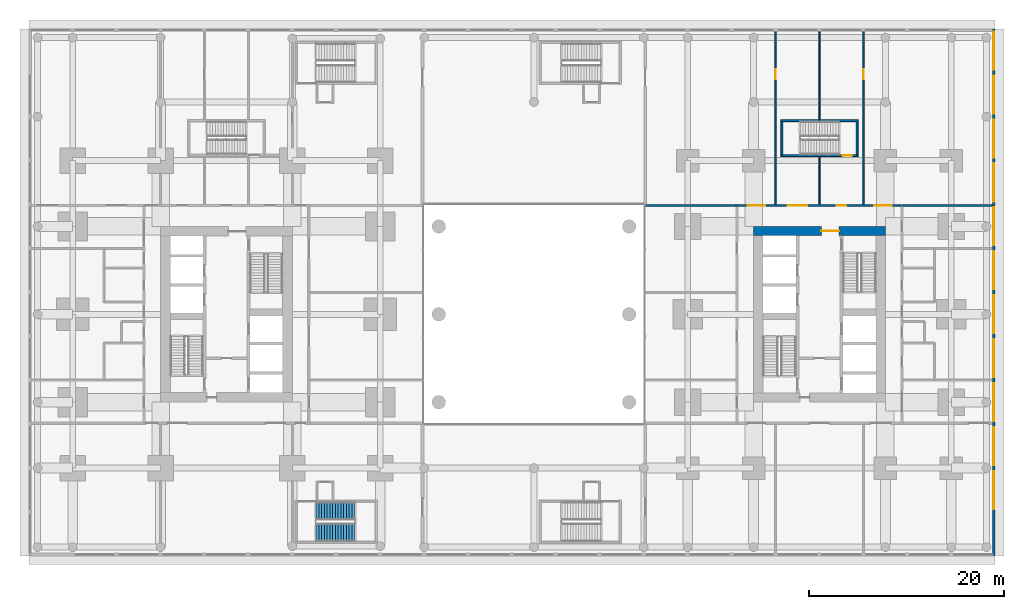
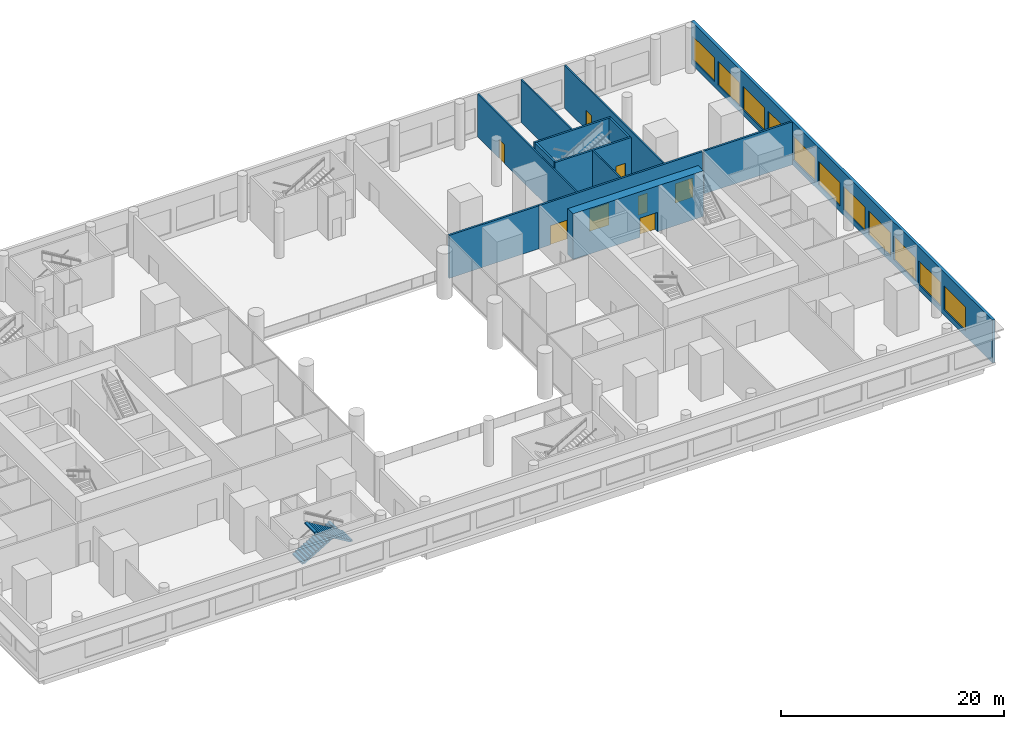
# One storey, part 16 of 21: 13 walls, 11 windows, 8 doors, 2 stair flights, 19 openings, 1 element without a shape of its own.
"""IFC4 building model written with IfcOpenShell, lengths in metres."""

from ifc_helpers import new_model, si_unit, direction, frame, frame_2d, origin, place, context, subcontext, project, spatial, polyline, rectangle, outline, extrude, material, layer, layer_set, type_object, element, fill, aggregate, save


model = new_model("IFC4")

# Units and contexts
model_context = context("Model", 3, precision=1e-05, world=origin(), true_north=direction((0.0, 1.0)))
body_context = subcontext(model_context, "Body", "Model", "MODEL_VIEW")
ifc_project = project(units=[si_unit("LENGTHUNIT", "METRE"), si_unit("AREAUNIT", "SQUARE_METRE"), si_unit("VOLUMEUNIT", "CUBIC_METRE"), si_unit("PLANEANGLEUNIT", "RADIAN"), si_unit("MASSUNIT", "GRAM", prefix="KILO")], contexts=[model_context])

# Site, building, storey
site_placement = place(None, origin())
site = spatial("IfcSite", under=ifc_project, at=site_placement, CompositionType="ELEMENT")
building_placement = place(site_placement, origin())
building = spatial("IfcBuilding", under=site, at=building_placement, Name="Namib Vertical Campus", CompositionType="ELEMENT")
storey_placement = place(building_placement, frame((0.0, 0.0, 6.0)))
storey = spatial("IfcBuildingStorey", under=building, at=storey_placement, Name="L01", CompositionType="ELEMENT", Elevation=6.0)

# Wall, opening, door
ifc_material_1 = material(Name="Concrete C60/75", Category="concrete")
ifc_layer_1 = layer(ifc_material_1, 0.949951171875)
ifc_layer_set_1 = layer_set([ifc_layer_1], Name="Concrete C60/75")
wall_type_1 = type_object("IfcWallType", Name="Core wall 950", PredefinedType="SHEAR", material=ifc_layer_set_1)
wall_1_placement = place(storey_placement, frame((87.75, 28.77490234375, 0.0), z_axis=(0.0, 0.0, 1.0), x_axis=(-1.0, 0.0, 0.0)))
wall_1 = element("IfcWall", 1, at=wall_1_placement, inside=storey, type_object=wall_type_1, Name="Core wall B L01 3", PredefinedType="SHEAR", context=body_context, shape_type="SweptSolid", body=[
    extrude(rectangle(XDim=13.5, YDim=0.949951171875, at=frame_2d((6.75, 0.0))), origin(), (0.0, 0.0, 1.0), 5.0),
])
opening_1_placement = place(wall_1_placement, frame((4.75, 0.0, 0.0)))
opening_1 = element("IfcOpeningElement", 2, at=opening_1_placement, cuts=wall_1, Name="Opening FD2", PredefinedType="OPENING", context=body_context, shape_type="SweptSolid", body=[
    extrude(rectangle(XDim=1.800048828125, YDim=2.10009765625, at=frame_2d((0.89990234375, 1.050048828125))), frame((0.0, 0.48486328125, 0.0), z_axis=(0.0, -1.0, 0.0), x_axis=(1.0, 0.0, 0.0)), (0.0, 0.0, 1.0), 0.969970703125),
])
ifc_material_2 = material(Name="Steel fire door", Category="steel")
door_type_1 = type_object("IfcDoorType", Name="Fire door double 1800x2100", OperationType="DOUBLE_DOOR_SINGLE_SWING", PredefinedType="DOOR", material=ifc_material_2)
door_1_placement = place(opening_1_placement, origin())
door_1 = element("IfcDoor", 3, at=door_1_placement, inside=storey, type_object=door_type_1, Name="Lift lobby door FD2 B L01", OperationType="DOUBLE_DOOR_SINGLE_SWING", OverallHeight=2.10009765625, OverallWidth=1.800048828125, PredefinedType="DOOR", context=body_context, shape_type="SweptSolid", body=[
    extrude(rectangle(XDim=1.800048828125, YDim=2.10009765625, at=frame_2d((0.89990234375, 1.050048828125))), frame((0.0, 0.02490234375, 0.0), z_axis=(0.0, -1.0, 0.0), x_axis=(1.0, 0.0, 0.0)), (0.0, 0.0, 1.0), 0.050048828125),
])
fill(opening_1, door_1)

# Wall, openings, doors
ifc_material_3 = material(Name="Concrete masonry", Category="masonry")
ifc_layer_2 = layer(ifc_material_3, 0.199951171875)
ifc_layer_set_2 = layer_set([ifc_layer_2], Name="Corridor wall 200")
wall_type_2 = type_object("IfcWallType", Name="Corridor wall 200", PredefinedType="SOLIDWALL", material=ifc_layer_set_2)
wall_2_placement = place(storey_placement, frame((89.35009765625, 31.39990234375, 0.0), z_axis=(0.0, 0.0, 1.0), x_axis=(-1.0, 0.0, 0.0)))
wall_2 = element("IfcWall", 4, at=wall_2_placement, inside=storey, type_object=wall_type_2, Name="Corridor wall B L01 CN", PredefinedType="SOLIDWALL", context=body_context, shape_type="SweptSolid", body=[
    extrude(rectangle(XDim=16.900146484375, YDim=0.199951171875, at=frame_2d((8.4501953125, 0.0))), origin(), (0.0, 0.0, 1.0), 4.699951171875),
])
opening_2_placement = place(wall_2_placement, frame((13.925048828125, 0.0, 0.0)))
opening_2 = element("IfcOpeningElement", 5, at=opening_2_placement, cuts=wall_2, Name="Opening CD2", PredefinedType="OPENING", context=body_context, shape_type="SweptSolid", body=[
    extrude(rectangle(XDim=1.800048828125, YDim=2.10009765625, at=frame_2d((0.89990234375, 1.050048828125))), frame((0.0, 0.10986328125, 0.0), z_axis=(0.0, -1.0, 0.0), x_axis=(1.0, 0.0, 0.0)), (0.0, 0.0, 1.0), 0.219970703125),
])
opening_3_placement = place(wall_2_placement, frame((9.60009765625, 0.0, 0.0)))
opening_3 = element("IfcOpeningElement", 6, at=opening_3_placement, cuts=wall_2, Name="Opening AD1", PredefinedType="OPENING", context=body_context, shape_type="SweptSolid", body=[
    extrude(rectangle(XDim=2.0, YDim=2.39990234375, at=frame_2d((1.0, 1.199951171875))), frame((0.0, 0.10986328125, 0.0), z_axis=(0.0, -1.0, 0.0), x_axis=(1.0, 0.0, 0.0)), (0.0, 0.0, 1.0), 0.219970703125),
])
opening_4_placement = place(wall_2_placement, frame((5.60009765625, 0.0, 0.0)))
opening_4 = element("IfcOpeningElement", 7, at=opening_4_placement, cuts=wall_2, Name="Opening CD1", PredefinedType="OPENING", context=body_context, shape_type="SweptSolid", body=[
    extrude(rectangle(XDim=1.0, YDim=2.10009765625, at=frame_2d((0.5, 1.050048828125))), frame((0.0, 0.10986328125, 0.0), z_axis=(0.0, -1.0, 0.0), x_axis=(1.0, 0.0, 0.0)), (0.0, 0.0, 1.0), 0.219970703125),
])
opening_5_placement = place(wall_2_placement, frame((0.925048828125, 0.0, 0.0)))
opening_5 = element("IfcOpeningElement", 8, at=opening_5_placement, cuts=wall_2, Name="Opening CD2", PredefinedType="OPENING", context=body_context, shape_type="SweptSolid", body=[
    extrude(rectangle(XDim=1.800048828125, YDim=2.10009765625, at=frame_2d((0.89990234375, 1.050048828125))), frame((0.0, 0.10986328125, 0.0), z_axis=(0.0, -1.0, 0.0), x_axis=(1.0, 0.0, 0.0)), (0.0, 0.0, 1.0), 0.219970703125),
])
ifc_material_4 = material(Name="Timber fire door leaf", Category="wood")
door_type_2 = type_object("IfcDoorType", Name="Corridor door 1000x2100 20 min", OperationType="SINGLE_SWING_LEFT", PredefinedType="DOOR", material=ifc_material_4)
door_2_placement = place(opening_4_placement, frame((1.0, 0.0, 0.0), z_axis=(0.0, 0.0, 1.0), x_axis=(-1.0, 0.0, 0.0)))
door_2 = element("IfcDoor", 9, at=door_2_placement, inside=storey, type_object=door_type_2, Name="Door CD1 B01-13", OperationType="SINGLE_SWING_RIGHT", OverallHeight=2.10009765625, OverallWidth=1.0, PredefinedType="DOOR", context=body_context, shape_type="SweptSolid", body=[
    extrude(rectangle(XDim=1.0, YDim=2.10009765625, at=frame_2d((0.5, 1.050048828125))), frame((0.0, 0.02490234375, 0.0), z_axis=(0.0, -1.0, 0.0), x_axis=(1.0, 0.0, 0.0)), (0.0, 0.0, 1.0), 0.050048828125),
])
fill(opening_4, door_2)
ifc_material_5 = material(Name="Timber fire door leaf", Category="wood")
door_type_3 = type_object("IfcDoorType", Name="Corridor door double 1800x2100 20 min", OperationType="DOUBLE_DOOR_SINGLE_SWING", PredefinedType="DOOR", material=ifc_material_5)
door_3_placement = place(opening_2_placement, origin())
door_3 = element("IfcDoor", 10, at=door_3_placement, inside=storey, type_object=door_type_3, Name="Door CD2 B01-11", OperationType="DOUBLE_DOOR_SINGLE_SWING", OverallHeight=2.10009765625, OverallWidth=1.800048828125, PredefinedType="DOOR", context=body_context, shape_type="SweptSolid", body=[
    extrude(rectangle(XDim=1.800048828125, YDim=2.10009765625, at=frame_2d((0.89990234375, 1.050048828125))), frame((0.0, 0.02490234375, 0.0), z_axis=(0.0, -1.0, 0.0), x_axis=(1.0, 0.0, 0.0)), (0.0, 0.0, 1.0), 0.050048828125),
])
fill(opening_2, door_3)
door_4_placement = place(opening_5_placement, frame((1.800048828125, 0.0, 0.0), z_axis=(0.0, 0.0, 1.0), x_axis=(-1.0, 0.0, 0.0)))
door_4 = element("IfcDoor", 11, at=door_4_placement, inside=storey, type_object=door_type_3, Name="Door CD2 B01-14", OperationType="DOUBLE_DOOR_SINGLE_SWING", OverallHeight=2.10009765625, OverallWidth=1.800048828125, PredefinedType="DOOR", context=body_context, shape_type="SweptSolid", body=[
    extrude(rectangle(XDim=1.800048828125, YDim=2.10009765625, at=frame_2d((0.89990234375, 1.050048828125))), frame((0.0, 0.02490234375, 0.0), z_axis=(0.0, -1.0, 0.0), x_axis=(1.0, 0.0, 0.0)), (0.0, 0.0, 1.0), 0.050048828125),
])
fill(opening_5, door_4)
ifc_material_6 = material(Name="Timber acoustic fire door leaf", Category="wood")
door_type_4 = type_object("IfcDoorType", Name="Lecture theatre door pair 2000x2400 acoustic", OperationType="DOUBLE_DOOR_SINGLE_SWING", PredefinedType="DOOR", material=ifc_material_6)
door_5_placement = place(opening_3_placement, frame((2.0, 0.0, 0.0), z_axis=(0.0, 0.0, 1.0), x_axis=(-1.0, 0.0, 0.0)))
door_5 = element("IfcDoor", 12, at=door_5_placement, inside=storey, type_object=door_type_4, Name="Door AD1 B01-12", OperationType="DOUBLE_DOOR_SINGLE_SWING", OverallHeight=2.39990234375, OverallWidth=2.0, PredefinedType="DOOR", context=body_context, shape_type="SweptSolid", body=[
    extrude(rectangle(XDim=2.0, YDim=2.39990234375, at=frame_2d((1.0, 1.199951171875))), frame((0.0, 0.02490234375, 0.0), z_axis=(0.0, -1.0, 0.0), x_axis=(1.0, 0.0, 0.0)), (0.0, 0.0, 1.0), 0.050048828125),
])
fill(opening_3, door_5)

# Walls
wall_3_placement = place(storey_placement, frame((63.179931640625, 31.39990234375, 0.0), z_axis=(0.0, 0.0, 1.0), x_axis=(1.0, 0.0, 0.0)))
element("IfcWall", 13, at=wall_3_placement, inside=storey, type_object=wall_type_2, Name="Partition B L01 BNW", PredefinedType="SOLIDWALL", context=body_context, shape_type="SweptSolid", body=[
    extrude(rectangle(XDim=9.27001953125, YDim=0.199951171875, at=frame_2d((4.635009765625, 0.0))), origin(), (0.0, 0.0, 1.0), 4.699951171875),
])
wall_4_placement = place(storey_placement, frame((89.550048828125, 31.39990234375, 0.0), z_axis=(0.0, 0.0, 1.0), x_axis=(1.0, 0.0, 0.0)))
element("IfcWall", 14, at=wall_4_placement, inside=storey, type_object=wall_type_2, Name="Partition B L01 BNE", PredefinedType="SOLIDWALL", context=body_context, shape_type="SweptSolid", body=[
    extrude(rectangle(XDim=9.14990234375, YDim=0.199951171875, at=frame_2d((4.574951171875, 0.0))), origin(), (0.0, 0.0, 1.0), 4.699951171875),
])

# Wall, openings, windows
ifc_material_7 = material(Name="Concrete C40/50", Category="concrete")
ifc_layer_3 = layer(ifc_material_7, 0.300048828125)
ifc_layer_set_3 = layer_set([ifc_layer_3], Name="Concrete C40/50")
wall_type_3 = type_object("IfcWallType", Name="External wall 300 board-marked concrete", PredefinedType="STANDARD", material=ifc_layer_set_3)
wall_5_placement = place(storey_placement, frame((98.85009765625, -4.47998046875, 0.0), z_axis=(0.0, 0.0, 1.0), x_axis=(0.0, 1.0, 0.0)))
wall_5 = element("IfcWall", 15, at=wall_5_placement, inside=storey, type_object=wall_type_3, Name="External wall L01 F2", PredefinedType="STANDARD", context=body_context, shape_type="SweptSolid", body=[
    extrude(rectangle(XDim=53.9599609375, YDim=0.300048828125, at=frame_2d((26.97998046875, 0.0))), origin(), (0.0, 0.0, 1.0), 4.699951171875),
])
opening_6_placement = place(wall_5_placement, frame((4.780029296875, 0.0, 0.60009765625)))
opening_6 = element("IfcOpeningElement", 16, at=opening_6_placement, cuts=wall_5, Name="Opening W2", PredefinedType="OPENING", context=body_context, shape_type="SweptSolid", body=[
    extrude(rectangle(XDim=3.89990234375, YDim=2.60009765625, at=frame_2d((1.949951171875, 1.300048828125))), frame((0.0, 0.159912109375, 0.0), z_axis=(0.0, -1.0, 0.0), x_axis=(1.0, 0.0, 0.0)), (0.0, 0.0, 1.0), 0.320068359375),
])
opening_7_placement = place(wall_5_placement, frame((9.280029296875, 0.0, 0.60009765625)))
opening_7 = element("IfcOpeningElement", 17, at=opening_7_placement, cuts=wall_5, Name="Opening W2", PredefinedType="OPENING", context=body_context, shape_type="SweptSolid", body=[
    extrude(rectangle(XDim=3.89990234375, YDim=2.60009765625, at=frame_2d((1.949951171875, 1.300048828125))), frame((0.0, 0.159912109375, 0.0), z_axis=(0.0, -1.0, 0.0), x_axis=(1.0, 0.0, 0.0)), (0.0, 0.0, 1.0), 0.320068359375),
])
opening_8_placement = place(wall_5_placement, frame((13.780029296875, 0.0, 0.60009765625)))
opening_8 = element("IfcOpeningElement", 18, at=opening_8_placement, cuts=wall_5, Name="Opening W2", PredefinedType="OPENING", context=body_context, shape_type="SweptSolid", body=[
    extrude(rectangle(XDim=3.89990234375, YDim=2.60009765625, at=frame_2d((1.949951171875, 1.300048828125))), frame((0.0, 0.159912109375, 0.0), z_axis=(0.0, -1.0, 0.0), x_axis=(1.0, 0.0, 0.0)), (0.0, 0.0, 1.0), 0.320068359375),
])
opening_9_placement = place(wall_5_placement, frame((18.280029296875, 0.0, 0.60009765625)))
opening_9 = element("IfcOpeningElement", 19, at=opening_9_placement, cuts=wall_5, Name="Opening W2", PredefinedType="OPENING", context=body_context, shape_type="SweptSolid", body=[
    extrude(rectangle(XDim=3.89990234375, YDim=2.60009765625, at=frame_2d((1.949951171875, 1.300048828125))), frame((0.0, 0.159912109375, 0.0), z_axis=(0.0, -1.0, 0.0), x_axis=(1.0, 0.0, 0.0)), (0.0, 0.0, 1.0), 0.320068359375),
])
opening_10_placement = place(wall_5_placement, frame((22.780029296875, 0.0, 0.60009765625)))
opening_10 = element("IfcOpeningElement", 20, at=opening_10_placement, cuts=wall_5, Name="Opening W2", PredefinedType="OPENING", context=body_context, shape_type="SweptSolid", body=[
    extrude(rectangle(XDim=3.89990234375, YDim=2.60009765625, at=frame_2d((1.949951171875, 1.300048828125))), frame((0.0, 0.159912109375, 0.0), z_axis=(0.0, -1.0, 0.0), x_axis=(1.0, 0.0, 0.0)), (0.0, 0.0, 1.0), 0.320068359375),
])
opening_11_placement = place(wall_5_placement, frame((27.280029296875, 0.0, 0.60009765625)))
opening_11 = element("IfcOpeningElement", 21, at=opening_11_placement, cuts=wall_5, Name="Opening W2", PredefinedType="OPENING", context=body_context, shape_type="SweptSolid", body=[
    extrude(rectangle(XDim=3.89990234375, YDim=2.60009765625, at=frame_2d((1.949951171875, 1.300048828125))), frame((0.0, 0.159912109375, 0.0), z_axis=(0.0, -1.0, 0.0), x_axis=(1.0, 0.0, 0.0)), (0.0, 0.0, 1.0), 0.320068359375),
])
opening_12_placement = place(wall_5_placement, frame((31.780029296875, 0.0, 0.60009765625)))
opening_12 = element("IfcOpeningElement", 22, at=opening_12_placement, cuts=wall_5, Name="Opening W2", PredefinedType="OPENING", context=body_context, shape_type="SweptSolid", body=[
    extrude(rectangle(XDim=3.89990234375, YDim=2.60009765625, at=frame_2d((1.949951171875, 1.300048828125))), frame((0.0, 0.159912109375, 0.0), z_axis=(0.0, -1.0, 0.0), x_axis=(1.0, 0.0, 0.0)), (0.0, 0.0, 1.0), 0.320068359375),
])
opening_13_placement = place(wall_5_placement, frame((36.280029296875, 0.0, 0.60009765625)))
opening_13 = element("IfcOpeningElement", 23, at=opening_13_placement, cuts=wall_5, Name="Opening W2", PredefinedType="OPENING", context=body_context, shape_type="SweptSolid", body=[
    extrude(rectangle(XDim=3.89990234375, YDim=2.60009765625, at=frame_2d((1.949951171875, 1.300048828125))), frame((0.0, 0.159912109375, 0.0), z_axis=(0.0, -1.0, 0.0), x_axis=(1.0, 0.0, 0.0)), (0.0, 0.0, 1.0), 0.320068359375),
])
opening_14_placement = place(wall_5_placement, frame((40.780029296875, 0.0, 0.60009765625)))
opening_14 = element("IfcOpeningElement", 24, at=opening_14_placement, cuts=wall_5, Name="Opening W2", PredefinedType="OPENING", context=body_context, shape_type="SweptSolid", body=[
    extrude(rectangle(XDim=3.89990234375, YDim=2.60009765625, at=frame_2d((1.949951171875, 1.300048828125))), frame((0.0, 0.159912109375, 0.0), z_axis=(0.0, -1.0, 0.0), x_axis=(1.0, 0.0, 0.0)), (0.0, 0.0, 1.0), 0.320068359375),
])
opening_15_placement = place(wall_5_placement, frame((45.280029296875, 0.0, 0.60009765625)))
opening_15 = element("IfcOpeningElement", 25, at=opening_15_placement, cuts=wall_5, Name="Opening W2", PredefinedType="OPENING", context=body_context, shape_type="SweptSolid", body=[
    extrude(rectangle(XDim=3.89990234375, YDim=2.60009765625, at=frame_2d((1.949951171875, 1.300048828125))), frame((0.0, 0.159912109375, 0.0), z_axis=(0.0, -1.0, 0.0), x_axis=(1.0, 0.0, 0.0)), (0.0, 0.0, 1.0), 0.320068359375),
])
opening_16_placement = place(wall_5_placement, frame((49.780029296875, 0.0, 0.60009765625)))
opening_16 = element("IfcOpeningElement", 26, at=opening_16_placement, cuts=wall_5, Name="Opening W2", PredefinedType="OPENING", context=body_context, shape_type="SweptSolid", body=[
    extrude(rectangle(XDim=3.89990234375, YDim=2.60009765625, at=frame_2d((1.949951171875, 1.300048828125))), frame((0.0, 0.159912109375, 0.0), z_axis=(0.0, -1.0, 0.0), x_axis=(1.0, 0.0, 0.0)), (0.0, 0.0, 1.0), 0.320068359375),
])
ifc_material_8 = material(Name="Dark tinted glass in black aluminium frame", Category="aluminium")
window_type = type_object("IfcWindowType", Name="Ribbon window 3900x2600", PartitioningType="SINGLE_PANEL", PredefinedType="WINDOW", material=ifc_material_8)
window_1_placement = place(opening_6_placement, origin())
window_1 = element("IfcWindow", 27, at=window_1_placement, inside=storey, type_object=window_type, Name="Window W2 L01 F2-2", OverallHeight=2.60009765625, OverallWidth=3.89990234375, PartitioningType="SINGLE_PANEL", PredefinedType="WINDOW", context=body_context, shape_type="SweptSolid", body=[
    extrude(rectangle(XDim=3.89990234375, YDim=2.60009765625, at=frame_2d((1.949951171875, 1.300048828125))), frame((0.0, 0.030029296875, 0.0), z_axis=(0.0, -1.0, 0.0), x_axis=(1.0, 0.0, 0.0)), (0.0, 0.0, 1.0), 0.06005859375),
])
fill(opening_6, window_1)
window_2_placement = place(opening_7_placement, origin())
window_2 = element("IfcWindow", 28, at=window_2_placement, inside=storey, type_object=window_type, Name="Window W2 L01 F2-3", OverallHeight=2.60009765625, OverallWidth=3.89990234375, PartitioningType="SINGLE_PANEL", PredefinedType="WINDOW", context=body_context, shape_type="SweptSolid", body=[
    extrude(rectangle(XDim=3.89990234375, YDim=2.60009765625, at=frame_2d((1.949951171875, 1.300048828125))), frame((0.0, 0.030029296875, 0.0), z_axis=(0.0, -1.0, 0.0), x_axis=(1.0, 0.0, 0.0)), (0.0, 0.0, 1.0), 0.06005859375),
])
fill(opening_7, window_2)
window_3_placement = place(opening_8_placement, origin())
window_3 = element("IfcWindow", 29, at=window_3_placement, inside=storey, type_object=window_type, Name="Window W2 L01 F2-4", OverallHeight=2.60009765625, OverallWidth=3.89990234375, PartitioningType="SINGLE_PANEL", PredefinedType="WINDOW", context=body_context, shape_type="SweptSolid", body=[
    extrude(rectangle(XDim=3.89990234375, YDim=2.60009765625, at=frame_2d((1.949951171875, 1.300048828125))), frame((0.0, 0.030029296875, 0.0), z_axis=(0.0, -1.0, 0.0), x_axis=(1.0, 0.0, 0.0)), (0.0, 0.0, 1.0), 0.06005859375),
])
fill(opening_8, window_3)
window_4_placement = place(opening_9_placement, origin())
window_4 = element("IfcWindow", 30, at=window_4_placement, inside=storey, type_object=window_type, Name="Window W2 L01 F2-5", OverallHeight=2.60009765625, OverallWidth=3.89990234375, PartitioningType="SINGLE_PANEL", PredefinedType="WINDOW", context=body_context, shape_type="SweptSolid", body=[
    extrude(rectangle(XDim=3.89990234375, YDim=2.60009765625, at=frame_2d((1.949951171875, 1.300048828125))), frame((0.0, 0.030029296875, 0.0), z_axis=(0.0, -1.0, 0.0), x_axis=(1.0, 0.0, 0.0)), (0.0, 0.0, 1.0), 0.06005859375),
])
fill(opening_9, window_4)
window_5_placement = place(opening_10_placement, origin())
window_5 = element("IfcWindow", 31, at=window_5_placement, inside=storey, type_object=window_type, Name="Window W2 L01 F2-6", OverallHeight=2.60009765625, OverallWidth=3.89990234375, PartitioningType="SINGLE_PANEL", PredefinedType="WINDOW", context=body_context, shape_type="SweptSolid", body=[
    extrude(rectangle(XDim=3.89990234375, YDim=2.60009765625, at=frame_2d((1.949951171875, 1.300048828125))), frame((0.0, 0.030029296875, 0.0), z_axis=(0.0, -1.0, 0.0), x_axis=(1.0, 0.0, 0.0)), (0.0, 0.0, 1.0), 0.06005859375),
])
fill(opening_10, window_5)
window_6_placement = place(opening_11_placement, origin())
window_6 = element("IfcWindow", 32, at=window_6_placement, inside=storey, type_object=window_type, Name="Window W2 L01 F2-7", OverallHeight=2.60009765625, OverallWidth=3.89990234375, PartitioningType="SINGLE_PANEL", PredefinedType="WINDOW", context=body_context, shape_type="SweptSolid", body=[
    extrude(rectangle(XDim=3.89990234375, YDim=2.60009765625, at=frame_2d((1.949951171875, 1.300048828125))), frame((0.0, 0.030029296875, 0.0), z_axis=(0.0, -1.0, 0.0), x_axis=(1.0, 0.0, 0.0)), (0.0, 0.0, 1.0), 0.06005859375),
])
fill(opening_11, window_6)
window_7_placement = place(opening_12_placement, origin())
window_7 = element("IfcWindow", 33, at=window_7_placement, inside=storey, type_object=window_type, Name="Window W2 L01 F2-8", OverallHeight=2.60009765625, OverallWidth=3.89990234375, PartitioningType="SINGLE_PANEL", PredefinedType="WINDOW", context=body_context, shape_type="SweptSolid", body=[
    extrude(rectangle(XDim=3.89990234375, YDim=2.60009765625, at=frame_2d((1.949951171875, 1.300048828125))), frame((0.0, 0.030029296875, 0.0), z_axis=(0.0, -1.0, 0.0), x_axis=(1.0, 0.0, 0.0)), (0.0, 0.0, 1.0), 0.06005859375),
])
fill(opening_12, window_7)
window_8_placement = place(opening_13_placement, origin())
window_8 = element("IfcWindow", 34, at=window_8_placement, inside=storey, type_object=window_type, Name="Window W2 L01 F2-9", OverallHeight=2.60009765625, OverallWidth=3.89990234375, PartitioningType="SINGLE_PANEL", PredefinedType="WINDOW", context=body_context, shape_type="SweptSolid", body=[
    extrude(rectangle(XDim=3.89990234375, YDim=2.60009765625, at=frame_2d((1.949951171875, 1.300048828125))), frame((0.0, 0.030029296875, 0.0), z_axis=(0.0, -1.0, 0.0), x_axis=(1.0, 0.0, 0.0)), (0.0, 0.0, 1.0), 0.06005859375),
])
fill(opening_13, window_8)
window_9_placement = place(opening_14_placement, origin())
window_9 = element("IfcWindow", 35, at=window_9_placement, inside=storey, type_object=window_type, Name="Window W2 L01 F2-10", OverallHeight=2.60009765625, OverallWidth=3.89990234375, PartitioningType="SINGLE_PANEL", PredefinedType="WINDOW", context=body_context, shape_type="SweptSolid", body=[
    extrude(rectangle(XDim=3.89990234375, YDim=2.60009765625, at=frame_2d((1.949951171875, 1.300048828125))), frame((0.0, 0.030029296875, 0.0), z_axis=(0.0, -1.0, 0.0), x_axis=(1.0, 0.0, 0.0)), (0.0, 0.0, 1.0), 0.06005859375),
])
fill(opening_14, window_9)
window_10_placement = place(opening_15_placement, origin())
window_10 = element("IfcWindow", 36, at=window_10_placement, inside=storey, type_object=window_type, Name="Window W2 L01 F2-11", OverallHeight=2.60009765625, OverallWidth=3.89990234375, PartitioningType="SINGLE_PANEL", PredefinedType="WINDOW", context=body_context, shape_type="SweptSolid", body=[
    extrude(rectangle(XDim=3.89990234375, YDim=2.60009765625, at=frame_2d((1.949951171875, 1.300048828125))), frame((0.0, 0.030029296875, 0.0), z_axis=(0.0, -1.0, 0.0), x_axis=(1.0, 0.0, 0.0)), (0.0, 0.0, 1.0), 0.06005859375),
])
fill(opening_15, window_10)
window_11_placement = place(opening_16_placement, origin())
window_11 = element("IfcWindow", 37, at=window_11_placement, inside=storey, type_object=window_type, Name="Window W2 L01 F2-12", OverallHeight=2.60009765625, OverallWidth=3.89990234375, PartitioningType="SINGLE_PANEL", PredefinedType="WINDOW", context=body_context, shape_type="SweptSolid", body=[
    extrude(rectangle(XDim=3.89990234375, YDim=2.60009765625, at=frame_2d((1.949951171875, 1.300048828125))), frame((0.0, 0.030029296875, 0.0), z_axis=(0.0, -1.0, 0.0), x_axis=(1.0, 0.0, 0.0)), (0.0, 0.0, 1.0), 0.06005859375),
])
fill(opening_16, window_11)

# Wall, opening, door
ifc_material_9 = material(Name="Gypsum board on steel studs", Category="steel")
ifc_layer_4 = layer(ifc_material_9, 0.14990234375)
ifc_layer_set_4 = layer_set([ifc_layer_4], Name="Gypsum board on steel studs")
wall_type_4 = type_object("IfcWallType", Name="Partition 150", PredefinedType="PARTITIONING", material=ifc_layer_set_4)
wall_6_placement = place(storey_placement, frame((76.5, 31.5, 0.0), z_axis=(0.0, 0.0, 1.0), x_axis=(0.0, 1.0, 0.0)))
wall_6 = element("IfcWall", 38, at=wall_6_placement, inside=storey, type_object=wall_type_4, Name="Partition B L01 PN1", PredefinedType="PARTITIONING", context=body_context, shape_type="SweptSolid", body=[
    extrude(rectangle(XDim=17.699951171875, YDim=0.14990234375, at=frame_2d((8.85009765625, 0.0))), origin(), (0.0, 0.0, 1.0), 4.699951171875),
])
opening_17_placement = place(wall_6_placement, frame((12.85009765625, 0.0, 0.0)))
opening_17 = element("IfcOpeningElement", 39, at=opening_17_placement, cuts=wall_6, Name="Opening D1", PredefinedType="OPENING", context=body_context, shape_type="SweptSolid", body=[
    extrude(rectangle(XDim=1.0, YDim=2.10009765625, at=frame_2d((0.5, 1.050048828125))), frame((0.0, 0.0849609375, 0.0), z_axis=(0.0, -1.0, 0.0), x_axis=(1.0, 0.0, 0.0)), (0.0, 0.0, 1.0), 0.169921875),
])
ifc_material_10 = material(Name="Timber door leaf", Category="wood")
door_type_5 = type_object("IfcDoorType", Name="Door single 1000x2100", OperationType="SINGLE_SWING_LEFT", PredefinedType="DOOR", material=ifc_material_10)
door_6_placement = place(opening_17_placement, frame((1.0, 0.0, 0.0), z_axis=(0.0, 0.0, 1.0), x_axis=(-1.0, 0.0, 0.0)))
door_6 = element("IfcDoor", 40, at=door_6_placement, inside=storey, type_object=door_type_5, Name="Door D1 B01-19", OperationType="SINGLE_SWING_RIGHT", OverallHeight=2.10009765625, OverallWidth=1.0, PredefinedType="DOOR", context=body_context, shape_type="SweptSolid", body=[
    extrude(rectangle(XDim=1.0, YDim=2.10009765625, at=frame_2d((0.5, 1.050048828125))), frame((0.0, 0.02490234375, 0.0), z_axis=(0.0, -1.0, 0.0), x_axis=(1.0, 0.0, 0.0)), (0.0, 0.0, 1.0), 0.050048828125),
])
fill(opening_17, door_6)

# Walls
wall_7_placement = place(storey_placement, frame((81.0, 31.5, 0.0), z_axis=(0.0, 0.0, 1.0), x_axis=(0.0, 1.0, 0.0)))
element("IfcWall", 41, at=wall_7_placement, inside=storey, type_object=wall_type_4, Name="Partition B L01 PN2", PredefinedType="PARTITIONING", context=body_context, shape_type="SweptSolid", body=[
    extrude(rectangle(XDim=4.89990234375, YDim=0.14990234375, at=frame_2d((2.449951171875, 0.0))), origin(), (0.0, 0.0, 1.0), 4.699951171875),
])
wall_8_placement = place(storey_placement, frame((81.0, 40.199951171875, 0.0), z_axis=(0.0, 0.0, 1.0), x_axis=(0.0, 1.0, 0.0)))
element("IfcWall", 42, at=wall_8_placement, inside=storey, type_object=wall_type_4, Name="Partition B L01 PN2", PredefinedType="PARTITIONING", context=body_context, shape_type="SweptSolid", body=[
    extrude(rectangle(XDim=9.0, YDim=0.14990234375, at=frame_2d((4.5, 0.0))), origin(), (0.0, 0.0, 1.0), 4.699951171875),
])

# Wall, opening, door
wall_9_placement = place(storey_placement, frame((85.5, 31.5, 0.0), z_axis=(0.0, 0.0, 1.0), x_axis=(0.0, 1.0, 0.0)))
wall_9 = element("IfcWall", 43, at=wall_9_placement, inside=storey, type_object=wall_type_4, Name="Partition B L01 PN3", PredefinedType="PARTITIONING", context=body_context, shape_type="SweptSolid", body=[
    extrude(rectangle(XDim=17.699951171875, YDim=0.14990234375, at=frame_2d((8.85009765625, 0.0))), origin(), (0.0, 0.0, 1.0), 4.699951171875),
])
opening_18_placement = place(wall_9_placement, frame((12.85009765625, 0.0, 0.0)))
opening_18 = element("IfcOpeningElement", 44, at=opening_18_placement, cuts=wall_9, Name="Opening D1", PredefinedType="OPENING", context=body_context, shape_type="SweptSolid", body=[
    extrude(rectangle(XDim=1.0, YDim=2.10009765625, at=frame_2d((0.5, 1.050048828125))), frame((0.0, 0.0849609375, 0.0), z_axis=(0.0, -1.0, 0.0), x_axis=(1.0, 0.0, 0.0)), (0.0, 0.0, 1.0), 0.169921875),
])
door_7_placement = place(opening_18_placement, origin())
door_7 = element("IfcDoor", 45, at=door_7_placement, inside=storey, type_object=door_type_5, Name="Door D1 B01-20", OperationType="SINGLE_SWING_LEFT", OverallHeight=2.10009765625, OverallWidth=1.0, PredefinedType="DOOR", context=body_context, shape_type="SweptSolid", body=[
    extrude(rectangle(XDim=1.0, YDim=2.10009765625, at=frame_2d((0.5, 1.050048828125))), frame((0.0, 0.02490234375, 0.0), z_axis=(0.0, -1.0, 0.0), x_axis=(1.0, 0.0, 0.0)), (0.0, 0.0, 1.0), 0.050048828125),
])
fill(opening_18, door_7)

ifc_material_11 = material(Name="Concrete C40/50", Category="concrete")
ifc_layer_5 = layer(ifc_material_11, 0.199951171875)
ifc_layer_set_5 = layer_set([ifc_layer_5], Name="Concrete C40/50")
wall_type_5 = type_object("IfcWallType", Name="Stair enclosure wall RC 200", PredefinedType="SOLIDWALL", material=ifc_layer_set_5)
wall_10_placement = place(storey_placement, frame((77.050048828125, 36.5, 0.0), z_axis=(0.0, 0.0, 1.0), x_axis=(1.0, 0.0, 0.0)))
wall_10 = element("IfcWall", 46, at=wall_10_placement, inside=storey, type_object=wall_type_5, Name="Stair enclosure wall B-S3 L01 S", PredefinedType="SOLIDWALL", context=body_context, shape_type="SweptSolid", body=[
    extrude(rectangle(XDim=7.89990234375, YDim=0.199951171875, at=frame_2d((3.949951171875, 0.0))), origin(), (0.0, 0.0, 1.0), 4.699951171875),
])
opening_19_placement = place(wall_10_placement, frame((6.300048828125, 0.0, 0.0)))
opening_19 = element("IfcOpeningElement", 47, at=opening_19_placement, cuts=wall_10, Name="Opening FD1", PredefinedType="OPENING", context=body_context, shape_type="SweptSolid", body=[
    extrude(rectangle(XDim=1.0, YDim=2.10009765625, at=frame_2d((0.5, 1.050048828125))), frame((0.0, 0.10986328125, 0.0), z_axis=(0.0, -1.0, 0.0), x_axis=(1.0, 0.0, 0.0)), (0.0, 0.0, 1.0), 0.219970703125),
])
ifc_material_12 = material(Name="Steel fire door", Category="steel")
door_type_6 = type_object("IfcDoorType", Name="Fire door 1000x2100", OperationType="SINGLE_SWING_RIGHT", PredefinedType="DOOR", material=ifc_material_12)
door_8_placement = place(opening_19_placement, origin())
door_8 = element("IfcDoor", 48, at=door_8_placement, inside=storey, type_object=door_type_6, Name="Stair door FD1 B L01 S3", OperationType="SINGLE_SWING_RIGHT", OverallHeight=2.10009765625, OverallWidth=1.0, PredefinedType="DOOR", context=body_context, shape_type="SweptSolid", body=[
    extrude(rectangle(XDim=1.0, YDim=2.10009765625, at=frame_2d((0.5, 1.050048828125))), frame((0.0, 0.02490234375, 0.0), z_axis=(0.0, -1.0, 0.0), x_axis=(1.0, 0.0, 0.0)), (0.0, 0.0, 1.0), 0.050048828125),
])
fill(opening_19, door_8)

# Walls
wall_11_placement = place(storey_placement, frame((77.050048828125, 40.10009765625, 0.0), z_axis=(0.0, 0.0, 1.0), x_axis=(1.0, 0.0, 0.0)))
element("IfcWall", 49, at=wall_11_placement, inside=storey, type_object=wall_type_5, Name="Stair enclosure wall B-S3 L01 N", PredefinedType="SOLIDWALL", context=body_context, shape_type="SweptSolid", body=[
    extrude(rectangle(XDim=7.89990234375, YDim=0.199951171875, at=frame_2d((3.949951171875, 0.0))), origin(), (0.0, 0.0, 1.0), 4.699951171875),
])
for number, where, z_axis, x_axis, name in (
    (50, (77.14990234375, 36.60009765625, 0.0), (0.0, 0.0, 1.0), (0.0, 1.0, 0.0), "Stair enclosure wall B-S3 L01 W"),
    (51, (84.85009765625, 36.60009765625, 0.0), (0.0, 0.0, 1.0), (0.0, 1.0, 0.0), "Stair enclosure wall B-S3 L01 E"),
):
    element("IfcWall", number, at=place(storey_placement, frame(where, z_axis=z_axis, x_axis=x_axis)), inside=storey, type_object=wall_type_5, Name=name, PredefinedType="SOLIDWALL", context=body_context, shape_type="SweptSolid", body=[
        extrude(rectangle(XDim=3.39990234375, YDim=0.199951171875, at=frame_2d((1.699951171875, 0.0))), origin(), (0.0, 0.0, 1.0), 4.699951171875),
    ])

# Stair, stair flights
ifc_material_13 = material(Name="Concrete C40/50 precast", Category="concrete")
stair_type = type_object("IfcStairType", Name="Podium exit stair 5000 rise 30 risers 1800 flights", PredefinedType="HALF_TURN_STAIR", material=ifc_material_13)
stair_placement = place(storey_placement, origin())
stair = element("IfcStair", 52, at=stair_placement, inside=storey, type_object=stair_type, Name="Exit stair P-S2 L01", PredefinedType="HALF_TURN_STAIR")
ifc_material_14 = material(Name="Concrete C40/50 precast", Category="concrete")
stair_flight_type = type_object("IfcStairFlightType", Name="Stair flight 15 risers 167 1800 wide", PredefinedType="STRAIGHT", material=ifc_material_14)
stair_flight_1_placement = place(storey_placement, frame((29.446044921875, 0.10009765625, 0.0), z_axis=(0.0, 0.0, 1.0), x_axis=(1.0, 0.0, 0.0)))
stair_flight_1 = element("IfcStairFlight", 53, at=stair_flight_1_placement, type_object=stair_flight_type, Name="P-S2 flight 1", NumberOfRisers=15, NumberOfTreads=14, PredefinedType="STRAIGHT", RiserHeight=0.166666667, TreadLength=0.28, context=body_context, shape_type="SweptSolid", body=[
    extrude(outline(polyline([(0.0, 0.0), (0.0, 0.166748046875), (0.280029296875, 0.166748046875), (0.280029296875, 0.333251953125), (0.56005859375, 0.333251953125), (0.56005859375, 0.5), (0.840087890625, 0.5), (0.840087890625, 0.666748046875), (1.1201171875, 0.666748046875), (1.1201171875, 0.833251953125), (1.39990234375, 0.833251953125), (1.39990234375, 1.0), (1.679931640625, 1.0), (1.679931640625, 1.166748046875), (1.9599609375, 1.166748046875), (1.9599609375, 1.333251953125), (2.239990234375, 1.333251953125), (2.239990234375, 1.5), (2.52001953125, 1.5), (2.52001953125, 1.666748046875), (2.800048828125, 1.666748046875), (2.800048828125, 1.833251953125), (3.080078125, 1.833251953125), (3.080078125, 2.0), (3.360107421875, 2.0), (3.360107421875, 2.166748046875), (3.639892578125, 2.166748046875), (3.639892578125, 2.333251953125), (3.919921875, 2.333251953125), (3.919921875, 2.5), (3.919921875, 2.158935546875), (0.29296875, 0.0), (0.0, 0.0)])), frame((0.0, 0.89990234375, 0.0), z_axis=(0.0, -1.0, 0.0), x_axis=(1.0, 0.0, 0.0)), (0.0, 0.0, 1.0), 1.800048828125),
])
stair_flight_2_placement = place(storey_placement, frame((33.3662109375, -2.10009765625, 2.5), z_axis=(0.0, 0.0, 1.0), x_axis=(-1.0, 0.0, 0.0)))
stair_flight_2 = element("IfcStairFlight", 54, at=stair_flight_2_placement, type_object=stair_flight_type, Name="P-S2 flight 2", NumberOfRisers=15, NumberOfTreads=14, PredefinedType="STRAIGHT", RiserHeight=0.166666667, TreadLength=0.28, context=body_context, shape_type="SweptSolid", body=[
    extrude(outline(polyline([(0.0, 0.0), (0.0, 0.166748046875), (0.280029296875, 0.166748046875), (0.280029296875, 0.333251953125), (0.56005859375, 0.333251953125), (0.56005859375, 0.5), (0.840087890625, 0.5), (0.840087890625, 0.666748046875), (1.1201171875, 0.666748046875), (1.1201171875, 0.833251953125), (1.39990234375, 0.833251953125), (1.39990234375, 1.0), (1.679931640625, 1.0), (1.679931640625, 1.166748046875), (1.9599609375, 1.166748046875), (1.9599609375, 1.333251953125), (2.239990234375, 1.333251953125), (2.239990234375, 1.5), (2.52001953125, 1.5), (2.52001953125, 1.666748046875), (2.800048828125, 1.666748046875), (2.800048828125, 1.833251953125), (3.080078125, 1.833251953125), (3.080078125, 2.0), (3.360107421875, 2.0), (3.360107421875, 2.166748046875), (3.639892578125, 2.166748046875), (3.639892578125, 2.333251953125), (3.919921875, 2.333251953125), (3.919921875, 2.5), (3.919921875, 2.158935546875), (0.29296875, 0.0), (0.0, 0.0)])), frame((0.0, 0.89990234375, 0.0), z_axis=(0.0, -1.0, 0.0), x_axis=(1.0, 0.0, 0.0)), (0.0, 0.0, 1.0), 1.800048828125),
])
aggregate(stair, [stair_flight_1, stair_flight_2])

save(model, "model.ifc")
